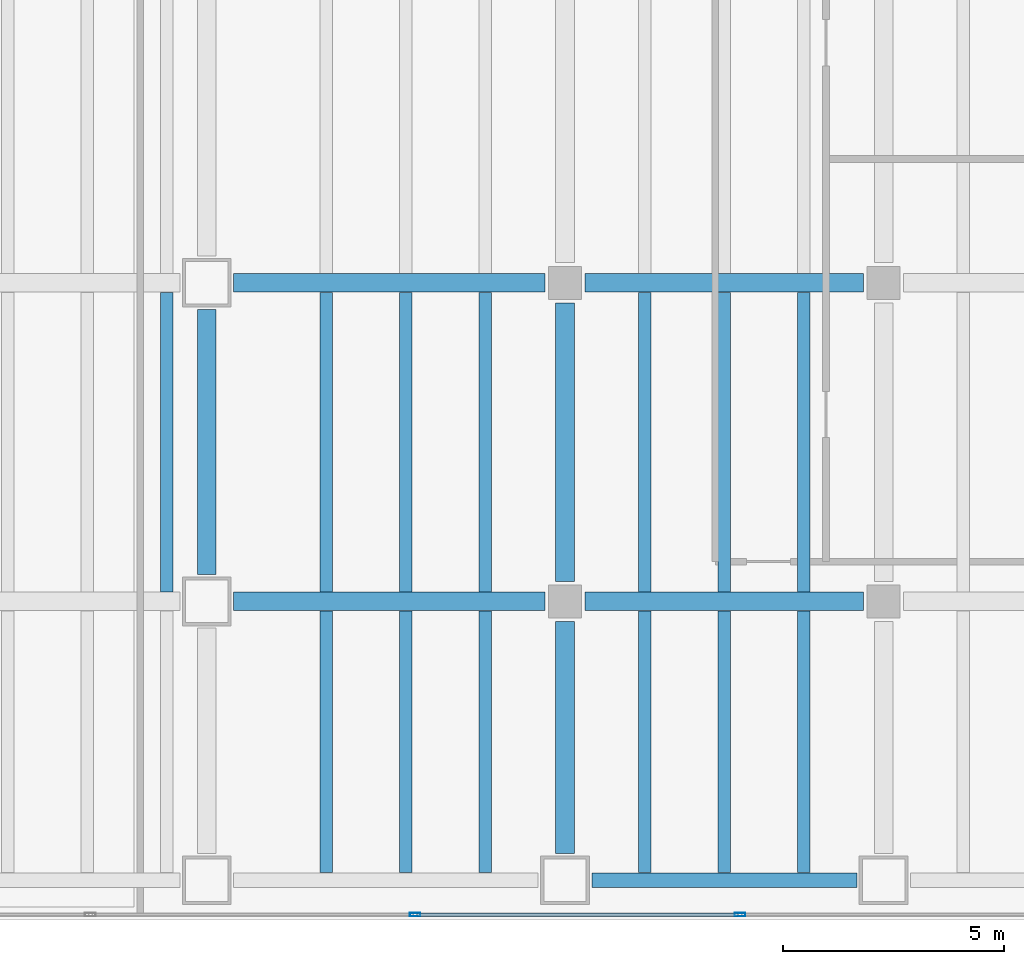
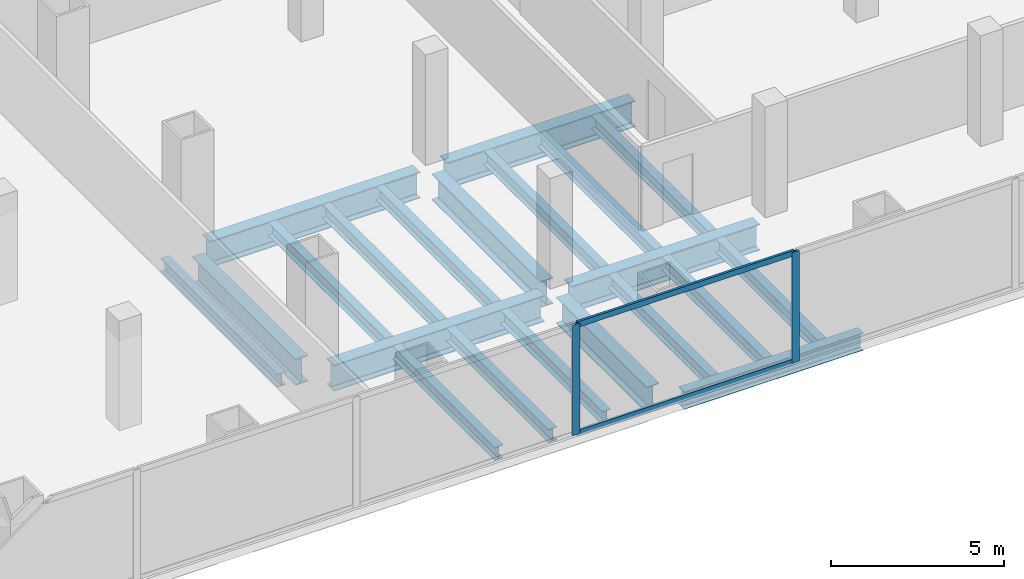
# One storey, part 7 of 28: 21 beams, 4 members, 1 element without a shape of its own.
"""IFC4 building model written with IfcOpenShell, lengths in metres."""

from ifc_helpers import new_model, si_unit, direction, frame, origin, origin_2d, place, context, subcontext, project, spatial, hollow_rectangle, i_section, extrude, material, material_profile, profile_set, type_object, element, aggregate, save


model = new_model("IFC4")

# Units and contexts
model_context = context("Model", 3, precision=1e-05, world=origin(), true_north=direction((0.0, 1.0)))
body_context = subcontext(model_context, "Body", "Model", "MODEL_VIEW")
ifc_project = project(units=[si_unit("LENGTHUNIT", "METRE"), si_unit("AREAUNIT", "SQUARE_METRE"), si_unit("VOLUMEUNIT", "CUBIC_METRE"), si_unit("PLANEANGLEUNIT", "RADIAN"), si_unit("MASSUNIT", "GRAM", prefix="KILO")], contexts=[model_context])

# Site, building, storey
site_placement = place(None, origin())
site = spatial("IfcSite", under=ifc_project, at=site_placement, CompositionType="ELEMENT")
building_placement = place(site_placement, origin())
building = spatial("IfcBuilding", under=site, at=building_placement, Name="Cobrela Telecom Tower", CompositionType="ELEMENT")
storey_placement = place(building_placement, frame((0.0, 0.0, 17.85009765625)))
storey = spatial("IfcBuildingStorey", under=building, at=storey_placement, Name="L04", CompositionType="ELEMENT", Elevation=17.85009765625)

# Beams
ifc_material_1 = material(Name="Steel ASTM A992 Grade 50", Category="steel")
ifc_material_profile_1 = material_profile(ifc_material_1, i_section(OverallWidth=0.4189453125, OverallDepth=0.927001953125, WebThickness=0.019287109375, FlangeThickness=0.031982421875, FilletRadius=0.02392578125, at=origin_2d()), Name="W36X231")
ifc_profile_set_1 = profile_set([ifc_material_profile_1], Name="Steel ASTM A992 Grade 50")
beam_type_1 = type_object("IfcBeamType", Name="BM-GIRD-02", PredefinedType="USERDEFINED", material=ifc_profile_set_1)
beam_1_placement = place(storey_placement, frame((50.10498046875, 7.199951171875, -0.753662109375), z_axis=(1.0, 0.0, 0.0), x_axis=(0.0, 1.0, 0.0)))
element("IfcBeam", 1, at=beam_1_placement, inside=storey, type_object=beam_type_1, Name="L04 Primary Girder X16", ObjectType="GIRDER", PredefinedType="USERDEFINED", context=body_context, shape_type="SweptSolid", body=[
    extrude(i_section(OverallWidth=0.4189453125, OverallDepth=0.927001953125, WebThickness=0.019287109375, FlangeThickness=0.031982421875, FilletRadius=0.02392578125, at=origin_2d()), origin(), (0.0, 0.0, 1.0), 7.0400390625),
])
beam_2_placement = place(storey_placement, frame((58.054931640625, 7.199951171875, -0.753662109375), z_axis=(1.0, 0.0, 0.0), x_axis=(0.0, 1.0, 0.0)))
element("IfcBeam", 2, at=beam_2_placement, inside=storey, type_object=beam_type_1, Name="L04 Primary Girder X17", ObjectType="GIRDER", PredefinedType="USERDEFINED", context=body_context, shape_type="SweptSolid", body=[
    extrude(i_section(OverallWidth=0.4189453125, OverallDepth=0.927001953125, WebThickness=0.019287109375, FlangeThickness=0.031982421875, FilletRadius=0.02392578125, at=origin_2d()), origin(), (0.0, 0.0, 1.0), 6.2900390625),
])
beam_3_placement = place(storey_placement, frame((50.10498046875, 14.39990234375, -0.753662109375), z_axis=(1.0, 0.0, 0.0), x_axis=(0.0, 1.0, 0.0)))
element("IfcBeam", 3, at=beam_3_placement, inside=storey, type_object=beam_type_1, Name="L04 Primary Girder X24", ObjectType="GIRDER", PredefinedType="USERDEFINED", context=body_context, shape_type="SweptSolid", body=[
    extrude(i_section(OverallWidth=0.4189453125, OverallDepth=0.927001953125, WebThickness=0.019287109375, FlangeThickness=0.031982421875, FilletRadius=0.02392578125, at=origin_2d()), origin(), (0.0, 0.0, 1.0), 7.0400390625),
])
beam_4_placement = place(storey_placement, frame((58.054931640625, 14.39990234375, -0.753662109375), z_axis=(1.0, 0.0, 0.0), x_axis=(0.0, 1.0, 0.0)))
element("IfcBeam", 4, at=beam_4_placement, inside=storey, type_object=beam_type_1, Name="L04 Primary Girder X25", ObjectType="GIRDER", PredefinedType="USERDEFINED", context=body_context, shape_type="SweptSolid", body=[
    extrude(i_section(OverallWidth=0.4189453125, OverallDepth=0.927001953125, WebThickness=0.019287109375, FlangeThickness=0.031982421875, FilletRadius=0.02392578125, at=origin_2d()), origin(), (0.0, 0.0, 1.0), 6.2900390625),
])
beam_5_placement = place(storey_placement, frame((49.5, 7.804931640625, -0.753662109375), z_axis=(0.0, 1.0, 0.0), x_axis=(-1.0, 0.0, 0.0)))
element("IfcBeam", 5, at=beam_5_placement, inside=storey, type_object=beam_type_1, Name="L04 Primary Girder Y86", ObjectType="GIRDER", PredefinedType="USERDEFINED", context=body_context, shape_type="SweptSolid", body=[
    extrude(i_section(OverallWidth=0.4189453125, OverallDepth=0.927001953125, WebThickness=0.019287109375, FlangeThickness=0.031982421875, FilletRadius=0.02392578125, at=origin_2d()), origin(), (0.0, 0.0, 1.0), 5.989990234375),
])
beam_6_placement = place(storey_placement, frame((57.60009765625, 1.5048828125, -0.753662109375), z_axis=(0.0, 1.0, 0.0), x_axis=(-1.0, 0.0, 0.0)))
element("IfcBeam", 6, at=beam_6_placement, inside=storey, type_object=beam_type_1, Name="L04 Primary Girder Y88", ObjectType="GIRDER", PredefinedType="USERDEFINED", context=body_context, shape_type="SweptSolid", body=[
    extrude(i_section(OverallWidth=0.4189453125, OverallDepth=0.927001953125, WebThickness=0.019287109375, FlangeThickness=0.031982421875, FilletRadius=0.02392578125, at=origin_2d()), origin(), (0.0, 0.0, 1.0), 5.240234375),
])
beam_7_placement = place(storey_placement, frame((57.60009765625, 7.655029296875, -0.753662109375), z_axis=(0.0, 1.0, 0.0), x_axis=(-1.0, 0.0, 0.0)))
element("IfcBeam", 7, at=beam_7_placement, inside=storey, type_object=beam_type_1, Name="L04 Primary Girder Y89", ObjectType="GIRDER", PredefinedType="USERDEFINED", context=body_context, shape_type="SweptSolid", body=[
    extrude(i_section(OverallWidth=0.4189453125, OverallDepth=0.927001953125, WebThickness=0.019287109375, FlangeThickness=0.031982421875, FilletRadius=0.02392578125, at=origin_2d()), origin(), (0.0, 0.0, 1.0), 6.2900390625),
])
ifc_material_profile_2 = material_profile(ifc_material_1, i_section(OverallWidth=0.281982421875, OverallDepth=0.467041015625, WebThickness=0.01220703125, FlangeThickness=0.01953125, FilletRadius=0.012939453125, at=origin_2d()), Name="W18X86")
ifc_profile_set_2 = profile_set([ifc_material_profile_2], Name="Steel ASTM A992 Grade 50")
beam_type_2 = type_object("IfcBeamType", Name="BM-JOIST-02", PredefinedType="JOIST", material=ifc_profile_set_2)
beam_8_placement = place(storey_placement, frame((48.60009765625, 7.41455078125, -0.523681640625), z_axis=(0.0, 1.0, 0.0), x_axis=(-1.0, 0.0, 0.0)))
element("IfcBeam", 8, at=beam_8_placement, inside=storey, type_object=beam_type_2, Name="L04 Secondary Composite Floor Beam J98", PredefinedType="JOIST", context=body_context, shape_type="SweptSolid", body=[
    extrude(i_section(OverallWidth=0.281982421875, OverallDepth=0.467041015625, WebThickness=0.01220703125, FlangeThickness=0.01953125, FilletRadius=0.012939453125, at=origin_2d()), origin(), (0.0, 0.0, 1.0), 6.77099609375),
])
beam_9_placement = place(storey_placement, frame((52.199951171875, 1.0673828125, -0.523681640625), z_axis=(0.0, 1.0, 0.0), x_axis=(-1.0, 0.0, 0.0)))
element("IfcBeam", 9, at=beam_9_placement, inside=storey, type_object=beam_type_2, Name="L04 Secondary Composite Floor Beam J100", PredefinedType="JOIST", context=body_context, shape_type="SweptSolid", body=[
    extrude(i_section(OverallWidth=0.281982421875, OverallDepth=0.467041015625, WebThickness=0.01220703125, FlangeThickness=0.01953125, FilletRadius=0.012939453125, at=origin_2d()), origin(), (0.0, 0.0, 1.0), 5.918212890625),
])
beam_10_placement = place(storey_placement, frame((52.199951171875, 7.41455078125, -0.523681640625), z_axis=(0.0, 1.0, 0.0), x_axis=(-1.0, 0.0, 0.0)))
element("IfcBeam", 10, at=beam_10_placement, inside=storey, type_object=beam_type_2, Name="L04 Secondary Composite Floor Beam J101", PredefinedType="JOIST", context=body_context, shape_type="SweptSolid", body=[
    extrude(i_section(OverallWidth=0.281982421875, OverallDepth=0.467041015625, WebThickness=0.01220703125, FlangeThickness=0.01953125, FilletRadius=0.012939453125, at=origin_2d()), origin(), (0.0, 0.0, 1.0), 6.77099609375),
])
beam_11_placement = place(storey_placement, frame((54.0, 1.0673828125, -0.523681640625), z_axis=(0.0, 1.0, 0.0), x_axis=(-1.0, 0.0, 0.0)))
element("IfcBeam", 11, at=beam_11_placement, inside=storey, type_object=beam_type_2, Name="L04 Secondary Composite Floor Beam J103", PredefinedType="JOIST", context=body_context, shape_type="SweptSolid", body=[
    extrude(i_section(OverallWidth=0.281982421875, OverallDepth=0.467041015625, WebThickness=0.01220703125, FlangeThickness=0.01953125, FilletRadius=0.012939453125, at=origin_2d()), origin(), (0.0, 0.0, 1.0), 5.918212890625),
])
beam_12_placement = place(storey_placement, frame((54.0, 7.41455078125, -0.523681640625), z_axis=(0.0, 1.0, 0.0), x_axis=(-1.0, 0.0, 0.0)))
element("IfcBeam", 12, at=beam_12_placement, inside=storey, type_object=beam_type_2, Name="L04 Secondary Composite Floor Beam J104", PredefinedType="JOIST", context=body_context, shape_type="SweptSolid", body=[
    extrude(i_section(OverallWidth=0.281982421875, OverallDepth=0.467041015625, WebThickness=0.01220703125, FlangeThickness=0.01953125, FilletRadius=0.012939453125, at=origin_2d()), origin(), (0.0, 0.0, 1.0), 6.77099609375),
])
beam_13_placement = place(storey_placement, frame((55.800048828125, 1.0673828125, -0.523681640625), z_axis=(0.0, 1.0, 0.0), x_axis=(-1.0, 0.0, 0.0)))
element("IfcBeam", 13, at=beam_13_placement, inside=storey, type_object=beam_type_2, Name="L04 Secondary Composite Floor Beam J106", PredefinedType="JOIST", context=body_context, shape_type="SweptSolid", body=[
    extrude(i_section(OverallWidth=0.281982421875, OverallDepth=0.467041015625, WebThickness=0.01220703125, FlangeThickness=0.01953125, FilletRadius=0.012939453125, at=origin_2d()), origin(), (0.0, 0.0, 1.0), 5.918212890625),
])
beam_14_placement = place(storey_placement, frame((55.800048828125, 7.41455078125, -0.523681640625), z_axis=(0.0, 1.0, 0.0), x_axis=(-1.0, 0.0, 0.0)))
element("IfcBeam", 14, at=beam_14_placement, inside=storey, type_object=beam_type_2, Name="L04 Secondary Composite Floor Beam J107", PredefinedType="JOIST", context=body_context, shape_type="SweptSolid", body=[
    extrude(i_section(OverallWidth=0.281982421875, OverallDepth=0.467041015625, WebThickness=0.01220703125, FlangeThickness=0.01953125, FilletRadius=0.012939453125, at=origin_2d()), origin(), (0.0, 0.0, 1.0), 6.77099609375),
])
beam_15_placement = place(storey_placement, frame((59.39990234375, 1.0673828125, -0.523681640625), z_axis=(0.0, 1.0, 0.0), x_axis=(-1.0, 0.0, 0.0)))
element("IfcBeam", 15, at=beam_15_placement, inside=storey, type_object=beam_type_2, Name="L04 Secondary Composite Floor Beam J109", PredefinedType="JOIST", context=body_context, shape_type="SweptSolid", body=[
    extrude(i_section(OverallWidth=0.281982421875, OverallDepth=0.467041015625, WebThickness=0.01220703125, FlangeThickness=0.01953125, FilletRadius=0.012939453125, at=origin_2d()), origin(), (0.0, 0.0, 1.0), 5.918212890625),
])
beam_16_placement = place(storey_placement, frame((59.39990234375, 7.41455078125, -0.523681640625), z_axis=(0.0, 1.0, 0.0), x_axis=(-1.0, 0.0, 0.0)))
element("IfcBeam", 16, at=beam_16_placement, inside=storey, type_object=beam_type_2, Name="L04 Secondary Composite Floor Beam J110", PredefinedType="JOIST", context=body_context, shape_type="SweptSolid", body=[
    extrude(i_section(OverallWidth=0.281982421875, OverallDepth=0.467041015625, WebThickness=0.01220703125, FlangeThickness=0.01953125, FilletRadius=0.012939453125, at=origin_2d()), origin(), (0.0, 0.0, 1.0), 6.77099609375),
])
beam_17_placement = place(storey_placement, frame((61.199951171875, 1.0673828125, -0.523681640625), z_axis=(0.0, 1.0, 0.0), x_axis=(-1.0, 0.0, 0.0)))
element("IfcBeam", 17, at=beam_17_placement, inside=storey, type_object=beam_type_2, Name="L04 Secondary Composite Floor Beam J112", PredefinedType="JOIST", context=body_context, shape_type="SweptSolid", body=[
    extrude(i_section(OverallWidth=0.281982421875, OverallDepth=0.467041015625, WebThickness=0.01220703125, FlangeThickness=0.01953125, FilletRadius=0.012939453125, at=origin_2d()), origin(), (0.0, 0.0, 1.0), 5.918212890625),
])
beam_18_placement = place(storey_placement, frame((61.199951171875, 7.41455078125, -0.523681640625), z_axis=(0.0, 1.0, 0.0), x_axis=(-1.0, 0.0, 0.0)))
element("IfcBeam", 18, at=beam_18_placement, inside=storey, type_object=beam_type_2, Name="L04 Secondary Composite Floor Beam J113", PredefinedType="JOIST", context=body_context, shape_type="SweptSolid", body=[
    extrude(i_section(OverallWidth=0.281982421875, OverallDepth=0.467041015625, WebThickness=0.01220703125, FlangeThickness=0.01953125, FilletRadius=0.012939453125, at=origin_2d()), origin(), (0.0, 0.0, 1.0), 6.77099609375),
])
beam_19_placement = place(storey_placement, frame((63.0, 1.0673828125, -0.523681640625), z_axis=(0.0, 1.0, 0.0), x_axis=(-1.0, 0.0, 0.0)))
element("IfcBeam", 19, at=beam_19_placement, inside=storey, type_object=beam_type_2, Name="L04 Secondary Composite Floor Beam J115", PredefinedType="JOIST", context=body_context, shape_type="SweptSolid", body=[
    extrude(i_section(OverallWidth=0.281982421875, OverallDepth=0.467041015625, WebThickness=0.01220703125, FlangeThickness=0.01953125, FilletRadius=0.012939453125, at=origin_2d()), origin(), (0.0, 0.0, 1.0), 5.918212890625),
])
beam_20_placement = place(storey_placement, frame((63.0, 7.41455078125, -0.523681640625), z_axis=(0.0, 1.0, 0.0), x_axis=(-1.0, 0.0, 0.0)))
element("IfcBeam", 20, at=beam_20_placement, inside=storey, type_object=beam_type_2, Name="L04 Secondary Composite Floor Beam J116", PredefinedType="JOIST", context=body_context, shape_type="SweptSolid", body=[
    extrude(i_section(OverallWidth=0.281982421875, OverallDepth=0.467041015625, WebThickness=0.01220703125, FlangeThickness=0.01953125, FilletRadius=0.012939453125, at=origin_2d()), origin(), (0.0, 0.0, 1.0), 6.77099609375),
])
ifc_material_profile_3 = material_profile(ifc_material_1, i_section(OverallWidth=0.324951171875, OverallDepth=0.612060546875, WebThickness=0.0126953125, FlangeThickness=0.01904296875, FilletRadius=0.014892578125, at=origin_2d()), Name="W24X104")
ifc_profile_set_3 = profile_set([ifc_material_profile_3], Name="Steel ASTM A992 Grade 50")
beam_type_3 = type_object("IfcBeamType", Name="BM-SPAND-02", PredefinedType="SPANDREL", material=ifc_profile_set_3)
beam_21_placement = place(storey_placement, frame((58.205078125, 0.89990234375, -0.59619140625), z_axis=(1.0, 0.0, 0.0), x_axis=(0.0, 1.0, 0.0)))
element("IfcBeam", 21, at=beam_21_placement, inside=storey, type_object=beam_type_3, Name="L04 Perimeter Spandrel X07", PredefinedType="SPANDREL", context=body_context, shape_type="SweptSolid", body=[
    extrude(i_section(OverallWidth=0.324951171875, OverallDepth=0.612060546875, WebThickness=0.0126953125, FlangeThickness=0.01904296875, FilletRadius=0.014892578125, at=origin_2d()), origin(), (0.0, 0.0, 1.0), 5.989990234375),
])

# Curtain wall, members
ifc_material_2 = material(Name="Anodized Bronze Aluminium 6063-T6", Category="aluminium")
curtain_wall_type = type_object("IfcCurtainWallType", Name="CW-SYS-CONC", PredefinedType="USERDEFINED", material=ifc_material_2)
curtain_wall_placement = place(storey_placement, origin())
curtain_wall = element("IfcCurtainWall", 22, at=curtain_wall_placement, inside=storey, type_object=curtain_wall_type, Name="L04 Unitised Bronze Curtain Wall 17", ObjectType="UNITISED CURTAIN WALL", PredefinedType="USERDEFINED")
ifc_material_profile_4 = material_profile(ifc_material_2, hollow_rectangle(XDim=0.080078125, YDim=0.239990234375, WallThickness=0.0048828125, at=origin_2d()), Name="ALU 80x240x5")
ifc_profile_set_4 = profile_set([ifc_material_profile_4], Name="Anodized Bronze Aluminium 6063-T6")
member_type_1 = type_object("IfcMemberType", Name="CW-SYS-CONC-MUL", PredefinedType="MULLION", material=ifc_profile_set_4)
member_1_placement = place(storey_placement, frame((61.554443359375, 0.1201171875, 0.0), z_axis=(0.0, 0.0, 1.0), x_axis=(0.0, -1.0, 0.0)))
member_1 = element("IfcMember", 23, at=member_1_placement, type_object=member_type_1, Name="CW-CONC mullion 4", PredefinedType="MULLION", context=body_context, shape_type="SweptSolid", body=[
    extrude(hollow_rectangle(XDim=0.080078125, YDim=0.239990234375, WallThickness=0.0048828125, at=origin_2d()), origin(), (0.0, 0.0, 1.0), 3.909912109375),
])
member_2_placement = place(storey_placement, frame((54.212646484375, 0.1201171875, 0.0), z_axis=(0.0, 0.0, 1.0), x_axis=(0.0, -1.0, 0.0)))
member_2 = element("IfcMember", 24, at=member_2_placement, type_object=member_type_1, Name="CW-CONC mullion 5", PredefinedType="MULLION", context=body_context, shape_type="SweptSolid", body=[
    extrude(hollow_rectangle(XDim=0.080078125, YDim=0.239990234375, WallThickness=0.0048828125, at=origin_2d()), origin(), (0.0, 0.0, 1.0), 3.909912109375),
])
ifc_material_profile_5 = material_profile(ifc_material_2, hollow_rectangle(XDim=0.080078125, YDim=0.199951171875, WallThickness=0.00390625, at=origin_2d()), Name="ALU 80x200x4")
ifc_profile_set_5 = profile_set([ifc_material_profile_5], Name="Anodized Bronze Aluminium 6063-T6")
member_type_2 = type_object("IfcMemberType", Name="CW-SYS-CONC-TRN", PredefinedType="USERDEFINED", material=ifc_profile_set_5)
member_3_placement = place(storey_placement, frame((61.5146484375, 0.1201171875, 0.039794921875), z_axis=(-1.0, 0.0, 0.0), x_axis=(0.0, -1.0, 0.0)))
member_3 = element("IfcMember", 25, at=member_3_placement, type_object=member_type_2, Name="CW-CONC transom 4.1", ObjectType="TRANSOM", PredefinedType="USERDEFINED", context=body_context, shape_type="SweptSolid", body=[
    extrude(hollow_rectangle(XDim=0.080078125, YDim=0.199951171875, WallThickness=0.00390625, at=origin_2d()), origin(), (0.0, 0.0, 1.0), 7.261962890625),
])
member_4_placement = place(storey_placement, frame((61.5146484375, 0.1201171875, 3.869873046875), z_axis=(-1.0, 0.0, 0.0), x_axis=(0.0, -1.0, 0.0)))
member_4 = element("IfcMember", 26, at=member_4_placement, type_object=member_type_2, Name="CW-CONC transom 4.2", ObjectType="TRANSOM", PredefinedType="USERDEFINED", context=body_context, shape_type="SweptSolid", body=[
    extrude(hollow_rectangle(XDim=0.080078125, YDim=0.199951171875, WallThickness=0.00390625, at=origin_2d()), origin(), (0.0, 0.0, 1.0), 7.261962890625),
])
aggregate(curtain_wall, [member_1, member_2, member_3, member_4])

save(model, "model.ifc")
